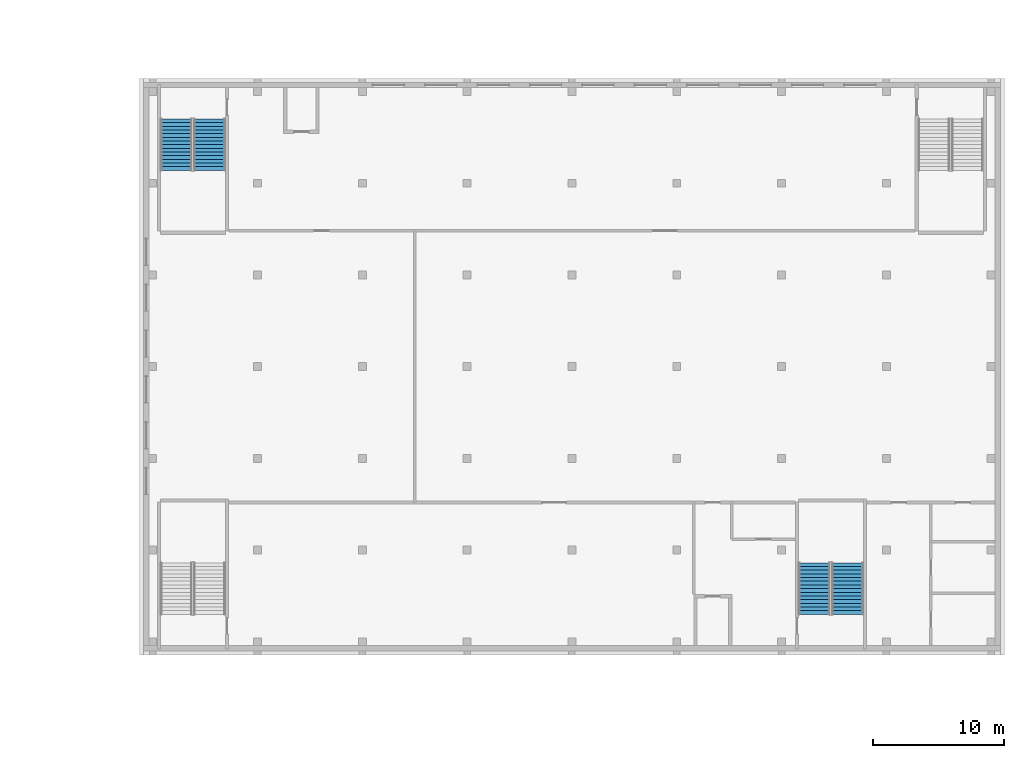
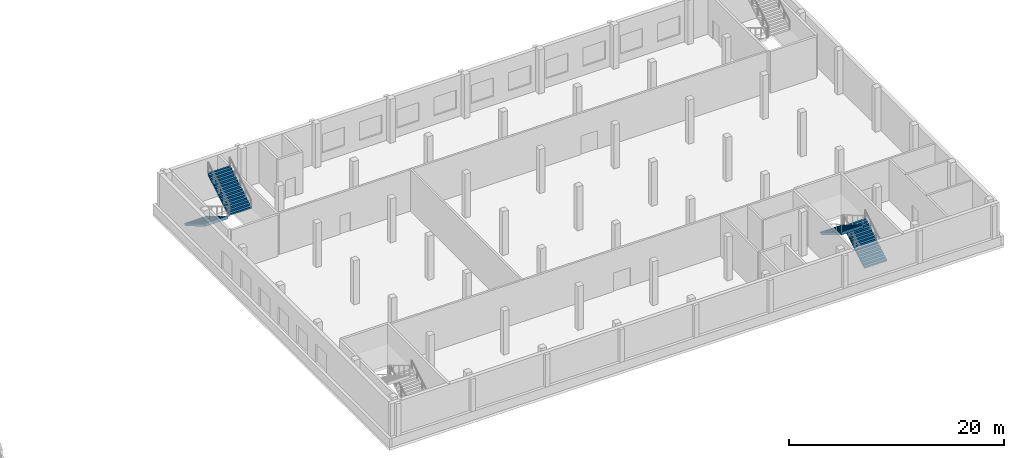
# One storey, part 19 of 32: 4 stair flights, 2 elements without a shape of their own.
"""IFC4 building model written with IfcOpenShell, lengths in metres."""

from ifc_helpers import new_model, si_unit, direction, frame, origin, place, context, subcontext, project, spatial, polyline, outline, extrude, material, type_object, element, aggregate, save


model = new_model("IFC4")

# Units and contexts
model_context = context("Model", 3, precision=1e-05, world=origin(), true_north=direction((0.0, 1.0)))
body_context = subcontext(model_context, "Body", "Model", "MODEL_VIEW")
ifc_project = project(units=[si_unit("LENGTHUNIT", "METRE"), si_unit("AREAUNIT", "SQUARE_METRE"), si_unit("VOLUMEUNIT", "CUBIC_METRE"), si_unit("PLANEANGLEUNIT", "RADIAN"), si_unit("MASSUNIT", "GRAM", prefix="KILO")], contexts=[model_context])

# Site, building, storey
site_placement = place(None, origin())
site = spatial("IfcSite", under=ifc_project, at=site_placement, CompositionType="ELEMENT")
building_placement = place(site_placement, origin())
building = spatial("IfcBuilding", under=site, at=building_placement, Name="Tamorin Gate", CompositionType="ELEMENT")
storey_placement = place(building_placement, frame((0.0, 0.0, 18.5)))
storey = spatial("IfcBuildingStorey", under=building, at=storey_placement, Name="L03", CompositionType="ELEMENT", Elevation=18.5)

# Stair, stair flights
ifc_material = material(Name="Concrete C40/50", Category="concrete")
stair_type = type_object("IfcStairType", Name="Museum exit stair 2400 C40/50", PredefinedType="HALF_TURN_STAIR", material=ifc_material)
stair_1_placement = place(storey_placement, origin())
stair_1 = element("IfcStair", 1, at=stair_1_placement, inside=storey, type_object=stair_type, Name="L03 PS6", PredefinedType="HALF_TURN_STAIR")
stair_flight_type = type_object("IfcStairFlightType", Name="Museum exit stair flight 2400 C40/50", PredefinedType="STRAIGHT", material=ifc_material)
stair_flight_1_placement = place(storey_placement, frame((147.5, 95.60009765625, 0.0), z_axis=(0.0, 0.0, 1.0), x_axis=(0.0, -1.0, 0.0)))
stair_flight_1 = element("IfcStairFlight", 2, at=stair_flight_1_placement, type_object=stair_flight_type, Name="PS6 flight 1", NumberOfRisers=15, NumberOfTreads=14, PredefinedType="STRAIGHT", RiserHeight=0.166666667, TreadLength=0.28, context=body_context, shape_type="SweptSolid", body=[
    extrude(outline(polyline([(-0.00048828125, 0.0), (-0.00048828125, 0.001708984375), (-0.00048828125, 0.00341796875), (-0.00048828125, 0.0048828125), (-0.00048828125, 0.006591796875), (-0.00048828125, 0.00830078125), (-0.00048828125, 0.010009765625), (-0.00048828125, 0.011474609375), (-0.00048828125, 0.01318359375), (-0.00048828125, 0.014892578125), (-0.00048828125, 0.0166015625), (-0.00048828125, 0.01806640625), (-0.00048828125, 0.019775390625), (-0.00048828125, 0.021484375), (-0.00048828125, 0.023193359375), (-0.00048828125, 0.024658203125), (-0.00048828125, 0.0263671875), (-0.00048828125, 0.028076171875), (-0.00048828125, 0.02978515625), (-0.00048828125, 0.03125), (-0.00048828125, 0.032958984375), (-0.00048828125, 0.03466796875), (-0.00048828125, 0.036376953125), (-0.00048828125, 0.037841796875), (-0.00048828125, 0.03955078125), (-0.00048828125, 0.041259765625), (-0.00048828125, 0.04296875), (-0.00048828125, 0.04443359375), (-0.00048828125, 0.046142578125), (-0.00048828125, 0.0478515625), (-0.00048828125, 0.049560546875), (-0.00048828125, 0.05126953125), (-0.00048828125, 0.052734375), (-0.00048828125, 0.054443359375), (-0.00048828125, 0.05615234375), (-0.00048828125, 0.057861328125), (-0.00048828125, 0.059326171875), (-0.00048828125, 0.06103515625), (-0.00048828125, 0.062744140625), (-0.00048828125, 0.064453125), (-0.00048828125, 0.06591796875), (-0.00048828125, 0.067626953125), (-0.00048828125, 0.0693359375), (-0.00048828125, 0.071044921875), (-0.00048828125, 0.072509765625), (-0.00048828125, 0.07421875), (-0.00048828125, 0.075927734375), (-0.00048828125, 0.07763671875), (-0.00048828125, 0.0791015625), (-0.00048828125, 0.080810546875), (-0.00048828125, 0.08251953125), (-0.00048828125, 0.084228515625), (-0.00048828125, 0.085693359375), (-0.00048828125, 0.08740234375), (-0.00048828125, 0.089111328125), (-0.00048828125, 0.0908203125), (-0.00048828125, 0.092529296875), (-0.00048828125, 0.093994140625), (-0.00048828125, 0.095703125), (-0.00048828125, 0.097412109375), (-0.00048828125, 0.09912109375), (-0.00048828125, 0.1005859375), (-0.00048828125, 0.102294921875), (-0.00048828125, 0.10400390625), (-0.00048828125, 0.105712890625), (-0.00048828125, 0.107177734375), (-0.00048828125, 0.10888671875), (-0.00048828125, 0.110595703125), (-0.00048828125, 0.1123046875), (-0.00048828125, 0.11376953125), (-0.00048828125, 0.115478515625), (-0.00048828125, 0.1171875), (-0.00048828125, 0.118896484375), (-0.00048828125, 0.120361328125), (-0.00048828125, 0.1220703125), (-0.00048828125, 0.123779296875), (-0.00048828125, 0.12548828125), (-0.00048828125, 0.126953125), (-0.00048828125, 0.128662109375), (-0.00048828125, 0.13037109375), (-0.00048828125, 0.132080078125), (-0.00048828125, 0.133544921875), (-0.00048828125, 0.13525390625), (-0.00048828125, 0.136962890625), (-0.00048828125, 0.138671875), (-0.00048828125, 0.140380859375), (-0.00048828125, 0.141845703125), (-0.00048828125, 0.1435546875), (-0.00048828125, 0.145263671875), (-0.00048828125, 0.14697265625), (-0.00048828125, 0.1484375), (-0.00048828125, 0.150146484375), (-0.00048828125, 0.15185546875), (-0.00048828125, 0.153564453125), (-0.00048828125, 0.155029296875), (-0.00048828125, 0.15673828125), (-0.00048828125, 0.158447265625), (-0.00048828125, 0.16015625), (-0.00048828125, 0.16162109375), (-0.00048828125, 0.163330078125), (-0.00048828125, 0.1650390625), (-0.00048828125, 0.166748046875), (0.280029296875, 0.166748046875), (0.280029296875, 0.333251953125), (0.56005859375, 0.333251953125), (0.56005859375, 0.5), (0.840087890625, 0.5), (0.840087890625, 0.666748046875), (1.1201171875, 0.666748046875), (1.1201171875, 0.833251953125), (1.39990234375, 0.833251953125), (1.39990234375, 1.0), (1.679931640625, 1.0), (1.679931640625, 1.166748046875), (1.9599609375, 1.166748046875), (1.9599609375, 1.333251953125), (2.239990234375, 1.333251953125), (2.239990234375, 1.5), (2.52001953125, 1.5), (2.52001953125, 1.666748046875), (2.800048828125, 1.666748046875), (2.800048828125, 1.833251953125), (3.080078125, 1.833251953125), (3.080078125, 2.0), (3.360107421875, 2.0), (3.360107421875, 2.166748046875), (3.639892578125, 2.166748046875), (3.639892578125, 2.333251953125), (3.919921875, 2.333251953125), (3.919921875, 2.5), (3.92041015625, 2.5), (3.92041015625, 2.49658203125), (3.92041015625, 2.4931640625), (3.92041015625, 2.48974609375), (3.92041015625, 2.486572265625), (3.92041015625, 2.483154296875), (3.92041015625, 2.479736328125), (3.92041015625, 2.476318359375), (3.92041015625, 2.472900390625), (3.92041015625, 2.469482421875), (3.92041015625, 2.46630859375), (3.92041015625, 2.462890625), (3.92041015625, 2.45947265625), (3.92041015625, 2.4560546875), (3.92041015625, 2.45263671875), (3.92041015625, 2.44921875), (3.92041015625, 2.446044921875), (3.92041015625, 2.442626953125), (3.92041015625, 2.439208984375), (3.92041015625, 2.435791015625), (3.92041015625, 2.432373046875), (3.92041015625, 2.428955078125), (3.92041015625, 2.42578125), (3.92041015625, 2.42236328125), (3.92041015625, 2.4189453125), (3.92041015625, 2.41552734375), (3.92041015625, 2.412109375), (3.92041015625, 2.40869140625), (3.92041015625, 2.405517578125), (3.92041015625, 2.402099609375), (3.92041015625, 2.398681640625), (3.92041015625, 2.395263671875), (3.92041015625, 2.391845703125), (3.92041015625, 2.388427734375), (3.92041015625, 2.38525390625), (3.92041015625, 2.3818359375), (3.92041015625, 2.37841796875), (3.92041015625, 2.375), (3.92041015625, 2.37158203125), (3.92041015625, 2.3681640625), (3.92041015625, 2.364990234375), (3.92041015625, 2.361572265625), (3.92041015625, 2.358154296875), (3.92041015625, 2.354736328125), (3.92041015625, 2.351318359375), (3.92041015625, 2.347900390625), (3.92041015625, 2.3447265625), (3.92041015625, 2.34130859375), (3.92041015625, 2.337890625), (3.92041015625, 2.33447265625), (3.92041015625, 2.3310546875), (3.92041015625, 2.32763671875), (3.92041015625, 2.324462890625), (3.92041015625, 2.321044921875), (3.92041015625, 2.317626953125), (3.92041015625, 2.314208984375), (3.92041015625, 2.310791015625), (3.92041015625, 2.307373046875), (3.92041015625, 2.30419921875), (3.92041015625, 2.30078125), (3.92041015625, 2.29736328125), (3.92041015625, 2.2939453125), (3.92041015625, 2.29052734375), (3.92041015625, 2.287109375), (3.92041015625, 2.283935546875), (3.92041015625, 2.280517578125), (3.92041015625, 2.277099609375), (3.92041015625, 2.273681640625), (3.92041015625, 2.270263671875), (3.92041015625, 2.266845703125), (3.92041015625, 2.263671875), (3.92041015625, 2.26025390625), (3.92041015625, 2.2568359375), (3.92041015625, 2.25341796875), (3.92041015625, 2.25), (3.92041015625, 2.24658203125), (3.92041015625, 2.243408203125), (3.92041015625, 2.239990234375), (3.92041015625, 2.236572265625), (3.92041015625, 2.233154296875), (3.92041015625, 2.229736328125), (3.92041015625, 2.226318359375), (3.92041015625, 2.22314453125), (3.92041015625, 2.2197265625), (3.92041015625, 2.21630859375), (3.92041015625, 2.212890625), (3.92041015625, 2.20947265625), (3.92041015625, 2.2060546875), (3.92041015625, 2.202880859375), (3.92041015625, 2.199462890625), (3.92041015625, 2.196044921875), (3.92041015625, 2.192626953125), (3.92041015625, 2.189208984375), (3.92041015625, 2.185791015625), (3.92041015625, 2.1826171875), (3.92041015625, 2.17919921875), (3.92041015625, 2.17578125), (3.92041015625, 2.17236328125), (3.92041015625, 2.1689453125), (3.92041015625, 2.16552734375), (3.92041015625, 2.162353515625), (3.92041015625, 2.158935546875), (3.919921875, 2.158935546875), (0.29296875, 0.0), (-0.00048828125, 0.0)])), frame((0.0, 1.199951171875, 0.0), z_axis=(0.0, -1.0, 0.0), x_axis=(1.0, 0.0, 0.0)), (0.0, 0.0, 1.0), 2.39990234375),
])
stair_flight_2_placement = place(storey_placement, frame((150.050048828125, 91.679931640625, 2.5), z_axis=(0.0, 0.0, 1.0), x_axis=(0.0, 1.0, 0.0)))
stair_flight_2 = element("IfcStairFlight", 3, at=stair_flight_2_placement, type_object=stair_flight_type, Name="PS6 flight 2", NumberOfRisers=15, NumberOfTreads=14, PredefinedType="STRAIGHT", RiserHeight=0.166666667, TreadLength=0.28, context=body_context, shape_type="SweptSolid", body=[
    extrude(outline(polyline([(-0.00048828125, 0.0), (-0.00048828125, 0.001708984375), (-0.00048828125, 0.00341796875), (-0.00048828125, 0.0048828125), (-0.00048828125, 0.006591796875), (-0.00048828125, 0.00830078125), (-0.00048828125, 0.010009765625), (-0.00048828125, 0.011474609375), (-0.00048828125, 0.01318359375), (-0.00048828125, 0.014892578125), (-0.00048828125, 0.0166015625), (-0.00048828125, 0.01806640625), (-0.00048828125, 0.019775390625), (-0.00048828125, 0.021484375), (-0.00048828125, 0.023193359375), (-0.00048828125, 0.024658203125), (-0.00048828125, 0.0263671875), (-0.00048828125, 0.028076171875), (-0.00048828125, 0.02978515625), (-0.00048828125, 0.03125), (-0.00048828125, 0.032958984375), (-0.00048828125, 0.03466796875), (-0.00048828125, 0.036376953125), (-0.00048828125, 0.037841796875), (-0.00048828125, 0.03955078125), (-0.00048828125, 0.041259765625), (-0.00048828125, 0.04296875), (-0.00048828125, 0.04443359375), (-0.00048828125, 0.046142578125), (-0.00048828125, 0.0478515625), (-0.00048828125, 0.049560546875), (-0.00048828125, 0.05126953125), (-0.00048828125, 0.052734375), (-0.00048828125, 0.054443359375), (-0.00048828125, 0.05615234375), (-0.00048828125, 0.057861328125), (-0.00048828125, 0.059326171875), (-0.00048828125, 0.06103515625), (-0.00048828125, 0.062744140625), (-0.00048828125, 0.064453125), (-0.00048828125, 0.06591796875), (-0.00048828125, 0.067626953125), (-0.00048828125, 0.0693359375), (-0.00048828125, 0.071044921875), (-0.00048828125, 0.072509765625), (-0.00048828125, 0.07421875), (-0.00048828125, 0.075927734375), (-0.00048828125, 0.07763671875), (-0.00048828125, 0.0791015625), (-0.00048828125, 0.080810546875), (-0.00048828125, 0.08251953125), (-0.00048828125, 0.084228515625), (-0.00048828125, 0.085693359375), (-0.00048828125, 0.08740234375), (-0.00048828125, 0.089111328125), (-0.00048828125, 0.0908203125), (-0.00048828125, 0.092529296875), (-0.00048828125, 0.093994140625), (-0.00048828125, 0.095703125), (-0.00048828125, 0.097412109375), (-0.00048828125, 0.09912109375), (-0.00048828125, 0.1005859375), (-0.00048828125, 0.102294921875), (-0.00048828125, 0.10400390625), (-0.00048828125, 0.105712890625), (-0.00048828125, 0.107177734375), (-0.00048828125, 0.10888671875), (-0.00048828125, 0.110595703125), (-0.00048828125, 0.1123046875), (-0.00048828125, 0.11376953125), (-0.00048828125, 0.115478515625), (-0.00048828125, 0.1171875), (-0.00048828125, 0.118896484375), (-0.00048828125, 0.120361328125), (-0.00048828125, 0.1220703125), (-0.00048828125, 0.123779296875), (-0.00048828125, 0.12548828125), (-0.00048828125, 0.126953125), (-0.00048828125, 0.128662109375), (-0.00048828125, 0.13037109375), (-0.00048828125, 0.132080078125), (-0.00048828125, 0.133544921875), (-0.00048828125, 0.13525390625), (-0.00048828125, 0.136962890625), (-0.00048828125, 0.138671875), (-0.00048828125, 0.140380859375), (-0.00048828125, 0.141845703125), (-0.00048828125, 0.1435546875), (-0.00048828125, 0.145263671875), (-0.00048828125, 0.14697265625), (-0.00048828125, 0.1484375), (-0.00048828125, 0.150146484375), (-0.00048828125, 0.15185546875), (-0.00048828125, 0.153564453125), (-0.00048828125, 0.155029296875), (-0.00048828125, 0.15673828125), (-0.00048828125, 0.158447265625), (-0.00048828125, 0.16015625), (-0.00048828125, 0.16162109375), (-0.00048828125, 0.163330078125), (-0.00048828125, 0.1650390625), (-0.00048828125, 0.166748046875), (0.280029296875, 0.166748046875), (0.280029296875, 0.333251953125), (0.56005859375, 0.333251953125), (0.56005859375, 0.5), (0.840087890625, 0.5), (0.840087890625, 0.666748046875), (1.1201171875, 0.666748046875), (1.1201171875, 0.833251953125), (1.39990234375, 0.833251953125), (1.39990234375, 1.0), (1.679931640625, 1.0), (1.679931640625, 1.166748046875), (1.9599609375, 1.166748046875), (1.9599609375, 1.333251953125), (2.239990234375, 1.333251953125), (2.239990234375, 1.5), (2.52001953125, 1.5), (2.52001953125, 1.666748046875), (2.800048828125, 1.666748046875), (2.800048828125, 1.833251953125), (3.080078125, 1.833251953125), (3.080078125, 2.0), (3.360107421875, 2.0), (3.360107421875, 2.166748046875), (3.639892578125, 2.166748046875), (3.639892578125, 2.333251953125), (3.919921875, 2.333251953125), (3.919921875, 2.5), (3.92041015625, 2.5), (3.92041015625, 2.49658203125), (3.92041015625, 2.4931640625), (3.92041015625, 2.48974609375), (3.92041015625, 2.486572265625), (3.92041015625, 2.483154296875), (3.92041015625, 2.479736328125), (3.92041015625, 2.476318359375), (3.92041015625, 2.472900390625), (3.92041015625, 2.469482421875), (3.92041015625, 2.46630859375), (3.92041015625, 2.462890625), (3.92041015625, 2.45947265625), (3.92041015625, 2.4560546875), (3.92041015625, 2.45263671875), (3.92041015625, 2.44921875), (3.92041015625, 2.446044921875), (3.92041015625, 2.442626953125), (3.92041015625, 2.439208984375), (3.92041015625, 2.435791015625), (3.92041015625, 2.432373046875), (3.92041015625, 2.428955078125), (3.92041015625, 2.42578125), (3.92041015625, 2.42236328125), (3.92041015625, 2.4189453125), (3.92041015625, 2.41552734375), (3.92041015625, 2.412109375), (3.92041015625, 2.40869140625), (3.92041015625, 2.405517578125), (3.92041015625, 2.402099609375), (3.92041015625, 2.398681640625), (3.92041015625, 2.395263671875), (3.92041015625, 2.391845703125), (3.92041015625, 2.388427734375), (3.92041015625, 2.38525390625), (3.92041015625, 2.3818359375), (3.92041015625, 2.37841796875), (3.92041015625, 2.375), (3.92041015625, 2.37158203125), (3.92041015625, 2.3681640625), (3.92041015625, 2.364990234375), (3.92041015625, 2.361572265625), (3.92041015625, 2.358154296875), (3.92041015625, 2.354736328125), (3.92041015625, 2.351318359375), (3.92041015625, 2.347900390625), (3.92041015625, 2.3447265625), (3.92041015625, 2.34130859375), (3.92041015625, 2.337890625), (3.92041015625, 2.33447265625), (3.92041015625, 2.3310546875), (3.92041015625, 2.32763671875), (3.92041015625, 2.324462890625), (3.92041015625, 2.321044921875), (3.92041015625, 2.317626953125), (3.92041015625, 2.314208984375), (3.92041015625, 2.310791015625), (3.92041015625, 2.307373046875), (3.92041015625, 2.30419921875), (3.92041015625, 2.30078125), (3.92041015625, 2.29736328125), (3.92041015625, 2.2939453125), (3.92041015625, 2.29052734375), (3.92041015625, 2.287109375), (3.92041015625, 2.283935546875), (3.92041015625, 2.280517578125), (3.92041015625, 2.277099609375), (3.92041015625, 2.273681640625), (3.92041015625, 2.270263671875), (3.92041015625, 2.266845703125), (3.92041015625, 2.263671875), (3.92041015625, 2.26025390625), (3.92041015625, 2.2568359375), (3.92041015625, 2.25341796875), (3.92041015625, 2.25), (3.92041015625, 2.24658203125), (3.92041015625, 2.243408203125), (3.92041015625, 2.239990234375), (3.92041015625, 2.236572265625), (3.92041015625, 2.233154296875), (3.92041015625, 2.229736328125), (3.92041015625, 2.226318359375), (3.92041015625, 2.22314453125), (3.92041015625, 2.2197265625), (3.92041015625, 2.21630859375), (3.92041015625, 2.212890625), (3.92041015625, 2.20947265625), (3.92041015625, 2.2060546875), (3.92041015625, 2.202880859375), (3.92041015625, 2.199462890625), (3.92041015625, 2.196044921875), (3.92041015625, 2.192626953125), (3.92041015625, 2.189208984375), (3.92041015625, 2.185791015625), (3.92041015625, 2.1826171875), (3.92041015625, 2.17919921875), (3.92041015625, 2.17578125), (3.92041015625, 2.17236328125), (3.92041015625, 2.1689453125), (3.92041015625, 2.16552734375), (3.92041015625, 2.162353515625), (3.92041015625, 2.158935546875), (3.919921875, 2.158935546875), (0.29296875, 0.0), (-0.00048828125, 0.0)])), frame((0.0, 1.199951171875, 0.0), z_axis=(0.0, -1.0, 0.0), x_axis=(1.0, 0.0, 0.0)), (0.0, 0.0, 1.0), 2.39990234375),
])
aggregate(stair_1, [stair_flight_1, stair_flight_2])

stair_2_placement = place(storey_placement, origin())
stair_2 = element("IfcStair", 4, at=stair_2_placement, inside=storey, type_object=stair_type, Name="L03 PS7", PredefinedType="HALF_TURN_STAIR")
stair_flight_3_placement = place(storey_placement, frame((198.75, 57.800048828125, 0.0), z_axis=(0.0, 0.0, 1.0), x_axis=(0.0, 1.0, 0.0)))
stair_flight_3 = element("IfcStairFlight", 5, at=stair_flight_3_placement, type_object=stair_flight_type, Name="PS7 flight 1", NumberOfRisers=15, NumberOfTreads=14, PredefinedType="STRAIGHT", RiserHeight=0.166666667, TreadLength=0.28, context=body_context, shape_type="SweptSolid", body=[
    extrude(outline(polyline([(-0.00048828125, 0.0), (-0.00048828125, 0.001708984375), (-0.00048828125, 0.00341796875), (-0.00048828125, 0.0048828125), (-0.00048828125, 0.006591796875), (-0.00048828125, 0.00830078125), (-0.00048828125, 0.010009765625), (-0.00048828125, 0.011474609375), (-0.00048828125, 0.01318359375), (-0.00048828125, 0.014892578125), (-0.00048828125, 0.0166015625), (-0.00048828125, 0.01806640625), (-0.00048828125, 0.019775390625), (-0.00048828125, 0.021484375), (-0.00048828125, 0.023193359375), (-0.00048828125, 0.024658203125), (-0.00048828125, 0.0263671875), (-0.00048828125, 0.028076171875), (-0.00048828125, 0.02978515625), (-0.00048828125, 0.03125), (-0.00048828125, 0.032958984375), (-0.00048828125, 0.03466796875), (-0.00048828125, 0.036376953125), (-0.00048828125, 0.037841796875), (-0.00048828125, 0.03955078125), (-0.00048828125, 0.041259765625), (-0.00048828125, 0.04296875), (-0.00048828125, 0.04443359375), (-0.00048828125, 0.046142578125), (-0.00048828125, 0.0478515625), (-0.00048828125, 0.049560546875), (-0.00048828125, 0.05126953125), (-0.00048828125, 0.052734375), (-0.00048828125, 0.054443359375), (-0.00048828125, 0.05615234375), (-0.00048828125, 0.057861328125), (-0.00048828125, 0.059326171875), (-0.00048828125, 0.06103515625), (-0.00048828125, 0.062744140625), (-0.00048828125, 0.064453125), (-0.00048828125, 0.06591796875), (-0.00048828125, 0.067626953125), (-0.00048828125, 0.0693359375), (-0.00048828125, 0.071044921875), (-0.00048828125, 0.072509765625), (-0.00048828125, 0.07421875), (-0.00048828125, 0.075927734375), (-0.00048828125, 0.07763671875), (-0.00048828125, 0.0791015625), (-0.00048828125, 0.080810546875), (-0.00048828125, 0.08251953125), (-0.00048828125, 0.084228515625), (-0.00048828125, 0.085693359375), (-0.00048828125, 0.08740234375), (-0.00048828125, 0.089111328125), (-0.00048828125, 0.0908203125), (-0.00048828125, 0.092529296875), (-0.00048828125, 0.093994140625), (-0.00048828125, 0.095703125), (-0.00048828125, 0.097412109375), (-0.00048828125, 0.09912109375), (-0.00048828125, 0.1005859375), (-0.00048828125, 0.102294921875), (-0.00048828125, 0.10400390625), (-0.00048828125, 0.105712890625), (-0.00048828125, 0.107177734375), (-0.00048828125, 0.10888671875), (-0.00048828125, 0.110595703125), (-0.00048828125, 0.1123046875), (-0.00048828125, 0.11376953125), (-0.00048828125, 0.115478515625), (-0.00048828125, 0.1171875), (-0.00048828125, 0.118896484375), (-0.00048828125, 0.120361328125), (-0.00048828125, 0.1220703125), (-0.00048828125, 0.123779296875), (-0.00048828125, 0.12548828125), (-0.00048828125, 0.126953125), (-0.00048828125, 0.128662109375), (-0.00048828125, 0.13037109375), (-0.00048828125, 0.132080078125), (-0.00048828125, 0.133544921875), (-0.00048828125, 0.13525390625), (-0.00048828125, 0.136962890625), (-0.00048828125, 0.138671875), (-0.00048828125, 0.140380859375), (-0.00048828125, 0.141845703125), (-0.00048828125, 0.1435546875), (-0.00048828125, 0.145263671875), (-0.00048828125, 0.14697265625), (-0.00048828125, 0.1484375), (-0.00048828125, 0.150146484375), (-0.00048828125, 0.15185546875), (-0.00048828125, 0.153564453125), (-0.00048828125, 0.155029296875), (-0.00048828125, 0.15673828125), (-0.00048828125, 0.158447265625), (-0.00048828125, 0.16015625), (-0.00048828125, 0.16162109375), (-0.00048828125, 0.163330078125), (-0.00048828125, 0.1650390625), (-0.00048828125, 0.166748046875), (0.280029296875, 0.166748046875), (0.280029296875, 0.333251953125), (0.56005859375, 0.333251953125), (0.56005859375, 0.5), (0.840087890625, 0.5), (0.840087890625, 0.666748046875), (1.1201171875, 0.666748046875), (1.1201171875, 0.833251953125), (1.39990234375, 0.833251953125), (1.39990234375, 1.0), (1.679931640625, 1.0), (1.679931640625, 1.166748046875), (1.9599609375, 1.166748046875), (1.9599609375, 1.333251953125), (2.239990234375, 1.333251953125), (2.239990234375, 1.5), (2.52001953125, 1.5), (2.52001953125, 1.666748046875), (2.800048828125, 1.666748046875), (2.800048828125, 1.833251953125), (3.080078125, 1.833251953125), (3.080078125, 2.0), (3.360107421875, 2.0), (3.360107421875, 2.166748046875), (3.639892578125, 2.166748046875), (3.639892578125, 2.333251953125), (3.919921875, 2.333251953125), (3.919921875, 2.5), (3.92041015625, 2.5), (3.92041015625, 2.49658203125), (3.92041015625, 2.4931640625), (3.92041015625, 2.48974609375), (3.92041015625, 2.486572265625), (3.92041015625, 2.483154296875), (3.92041015625, 2.479736328125), (3.92041015625, 2.476318359375), (3.92041015625, 2.472900390625), (3.92041015625, 2.469482421875), (3.92041015625, 2.46630859375), (3.92041015625, 2.462890625), (3.92041015625, 2.45947265625), (3.92041015625, 2.4560546875), (3.92041015625, 2.45263671875), (3.92041015625, 2.44921875), (3.92041015625, 2.446044921875), (3.92041015625, 2.442626953125), (3.92041015625, 2.439208984375), (3.92041015625, 2.435791015625), (3.92041015625, 2.432373046875), (3.92041015625, 2.428955078125), (3.92041015625, 2.42578125), (3.92041015625, 2.42236328125), (3.92041015625, 2.4189453125), (3.92041015625, 2.41552734375), (3.92041015625, 2.412109375), (3.92041015625, 2.40869140625), (3.92041015625, 2.405517578125), (3.92041015625, 2.402099609375), (3.92041015625, 2.398681640625), (3.92041015625, 2.395263671875), (3.92041015625, 2.391845703125), (3.92041015625, 2.388427734375), (3.92041015625, 2.38525390625), (3.92041015625, 2.3818359375), (3.92041015625, 2.37841796875), (3.92041015625, 2.375), (3.92041015625, 2.37158203125), (3.92041015625, 2.3681640625), (3.92041015625, 2.364990234375), (3.92041015625, 2.361572265625), (3.92041015625, 2.358154296875), (3.92041015625, 2.354736328125), (3.92041015625, 2.351318359375), (3.92041015625, 2.347900390625), (3.92041015625, 2.3447265625), (3.92041015625, 2.34130859375), (3.92041015625, 2.337890625), (3.92041015625, 2.33447265625), (3.92041015625, 2.3310546875), (3.92041015625, 2.32763671875), (3.92041015625, 2.324462890625), (3.92041015625, 2.321044921875), (3.92041015625, 2.317626953125), (3.92041015625, 2.314208984375), (3.92041015625, 2.310791015625), (3.92041015625, 2.307373046875), (3.92041015625, 2.30419921875), (3.92041015625, 2.30078125), (3.92041015625, 2.29736328125), (3.92041015625, 2.2939453125), (3.92041015625, 2.29052734375), (3.92041015625, 2.287109375), (3.92041015625, 2.283935546875), (3.92041015625, 2.280517578125), (3.92041015625, 2.277099609375), (3.92041015625, 2.273681640625), (3.92041015625, 2.270263671875), (3.92041015625, 2.266845703125), (3.92041015625, 2.263671875), (3.92041015625, 2.26025390625), (3.92041015625, 2.2568359375), (3.92041015625, 2.25341796875), (3.92041015625, 2.25), (3.92041015625, 2.24658203125), (3.92041015625, 2.243408203125), (3.92041015625, 2.239990234375), (3.92041015625, 2.236572265625), (3.92041015625, 2.233154296875), (3.92041015625, 2.229736328125), (3.92041015625, 2.226318359375), (3.92041015625, 2.22314453125), (3.92041015625, 2.2197265625), (3.92041015625, 2.21630859375), (3.92041015625, 2.212890625), (3.92041015625, 2.20947265625), (3.92041015625, 2.2060546875), (3.92041015625, 2.202880859375), (3.92041015625, 2.199462890625), (3.92041015625, 2.196044921875), (3.92041015625, 2.192626953125), (3.92041015625, 2.189208984375), (3.92041015625, 2.185791015625), (3.92041015625, 2.1826171875), (3.92041015625, 2.17919921875), (3.92041015625, 2.17578125), (3.92041015625, 2.17236328125), (3.92041015625, 2.1689453125), (3.92041015625, 2.16552734375), (3.92041015625, 2.162353515625), (3.92041015625, 2.158935546875), (3.919921875, 2.158935546875), (0.29296875, 0.0), (-0.00048828125, 0.0)])), frame((0.0, 1.199951171875, 0.0), z_axis=(0.0, -1.0, 0.0), x_axis=(1.0, 0.0, 0.0)), (0.0, 0.0, 1.0), 2.39990234375),
])
stair_flight_4_placement = place(storey_placement, frame((196.199951171875, 61.719970703125, 2.5), z_axis=(0.0, 0.0, 1.0), x_axis=(0.0, -1.0, 0.0)))
stair_flight_4 = element("IfcStairFlight", 6, at=stair_flight_4_placement, type_object=stair_flight_type, Name="PS7 flight 2", NumberOfRisers=15, NumberOfTreads=14, PredefinedType="STRAIGHT", RiserHeight=0.166666667, TreadLength=0.28, context=body_context, shape_type="SweptSolid", body=[
    extrude(outline(polyline([(-0.00048828125, 0.0), (-0.00048828125, 0.001708984375), (-0.00048828125, 0.00341796875), (-0.00048828125, 0.0048828125), (-0.00048828125, 0.006591796875), (-0.00048828125, 0.00830078125), (-0.00048828125, 0.010009765625), (-0.00048828125, 0.011474609375), (-0.00048828125, 0.01318359375), (-0.00048828125, 0.014892578125), (-0.00048828125, 0.0166015625), (-0.00048828125, 0.01806640625), (-0.00048828125, 0.019775390625), (-0.00048828125, 0.021484375), (-0.00048828125, 0.023193359375), (-0.00048828125, 0.024658203125), (-0.00048828125, 0.0263671875), (-0.00048828125, 0.028076171875), (-0.00048828125, 0.02978515625), (-0.00048828125, 0.03125), (-0.00048828125, 0.032958984375), (-0.00048828125, 0.03466796875), (-0.00048828125, 0.036376953125), (-0.00048828125, 0.037841796875), (-0.00048828125, 0.03955078125), (-0.00048828125, 0.041259765625), (-0.00048828125, 0.04296875), (-0.00048828125, 0.04443359375), (-0.00048828125, 0.046142578125), (-0.00048828125, 0.0478515625), (-0.00048828125, 0.049560546875), (-0.00048828125, 0.05126953125), (-0.00048828125, 0.052734375), (-0.00048828125, 0.054443359375), (-0.00048828125, 0.05615234375), (-0.00048828125, 0.057861328125), (-0.00048828125, 0.059326171875), (-0.00048828125, 0.06103515625), (-0.00048828125, 0.062744140625), (-0.00048828125, 0.064453125), (-0.00048828125, 0.06591796875), (-0.00048828125, 0.067626953125), (-0.00048828125, 0.0693359375), (-0.00048828125, 0.071044921875), (-0.00048828125, 0.072509765625), (-0.00048828125, 0.07421875), (-0.00048828125, 0.075927734375), (-0.00048828125, 0.07763671875), (-0.00048828125, 0.0791015625), (-0.00048828125, 0.080810546875), (-0.00048828125, 0.08251953125), (-0.00048828125, 0.084228515625), (-0.00048828125, 0.085693359375), (-0.00048828125, 0.08740234375), (-0.00048828125, 0.089111328125), (-0.00048828125, 0.0908203125), (-0.00048828125, 0.092529296875), (-0.00048828125, 0.093994140625), (-0.00048828125, 0.095703125), (-0.00048828125, 0.097412109375), (-0.00048828125, 0.09912109375), (-0.00048828125, 0.1005859375), (-0.00048828125, 0.102294921875), (-0.00048828125, 0.10400390625), (-0.00048828125, 0.105712890625), (-0.00048828125, 0.107177734375), (-0.00048828125, 0.10888671875), (-0.00048828125, 0.110595703125), (-0.00048828125, 0.1123046875), (-0.00048828125, 0.11376953125), (-0.00048828125, 0.115478515625), (-0.00048828125, 0.1171875), (-0.00048828125, 0.118896484375), (-0.00048828125, 0.120361328125), (-0.00048828125, 0.1220703125), (-0.00048828125, 0.123779296875), (-0.00048828125, 0.12548828125), (-0.00048828125, 0.126953125), (-0.00048828125, 0.128662109375), (-0.00048828125, 0.13037109375), (-0.00048828125, 0.132080078125), (-0.00048828125, 0.133544921875), (-0.00048828125, 0.13525390625), (-0.00048828125, 0.136962890625), (-0.00048828125, 0.138671875), (-0.00048828125, 0.140380859375), (-0.00048828125, 0.141845703125), (-0.00048828125, 0.1435546875), (-0.00048828125, 0.145263671875), (-0.00048828125, 0.14697265625), (-0.00048828125, 0.1484375), (-0.00048828125, 0.150146484375), (-0.00048828125, 0.15185546875), (-0.00048828125, 0.153564453125), (-0.00048828125, 0.155029296875), (-0.00048828125, 0.15673828125), (-0.00048828125, 0.158447265625), (-0.00048828125, 0.16015625), (-0.00048828125, 0.16162109375), (-0.00048828125, 0.163330078125), (-0.00048828125, 0.1650390625), (-0.00048828125, 0.166748046875), (0.280029296875, 0.166748046875), (0.280029296875, 0.333251953125), (0.56005859375, 0.333251953125), (0.56005859375, 0.5), (0.840087890625, 0.5), (0.840087890625, 0.666748046875), (1.1201171875, 0.666748046875), (1.1201171875, 0.833251953125), (1.39990234375, 0.833251953125), (1.39990234375, 1.0), (1.679931640625, 1.0), (1.679931640625, 1.166748046875), (1.9599609375, 1.166748046875), (1.9599609375, 1.333251953125), (2.239990234375, 1.333251953125), (2.239990234375, 1.5), (2.52001953125, 1.5), (2.52001953125, 1.666748046875), (2.800048828125, 1.666748046875), (2.800048828125, 1.833251953125), (3.080078125, 1.833251953125), (3.080078125, 2.0), (3.360107421875, 2.0), (3.360107421875, 2.166748046875), (3.639892578125, 2.166748046875), (3.639892578125, 2.333251953125), (3.919921875, 2.333251953125), (3.919921875, 2.5), (3.92041015625, 2.5), (3.92041015625, 2.49658203125), (3.92041015625, 2.4931640625), (3.92041015625, 2.48974609375), (3.92041015625, 2.486572265625), (3.92041015625, 2.483154296875), (3.92041015625, 2.479736328125), (3.92041015625, 2.476318359375), (3.92041015625, 2.472900390625), (3.92041015625, 2.469482421875), (3.92041015625, 2.46630859375), (3.92041015625, 2.462890625), (3.92041015625, 2.45947265625), (3.92041015625, 2.4560546875), (3.92041015625, 2.45263671875), (3.92041015625, 2.44921875), (3.92041015625, 2.446044921875), (3.92041015625, 2.442626953125), (3.92041015625, 2.439208984375), (3.92041015625, 2.435791015625), (3.92041015625, 2.432373046875), (3.92041015625, 2.428955078125), (3.92041015625, 2.42578125), (3.92041015625, 2.42236328125), (3.92041015625, 2.4189453125), (3.92041015625, 2.41552734375), (3.92041015625, 2.412109375), (3.92041015625, 2.40869140625), (3.92041015625, 2.405517578125), (3.92041015625, 2.402099609375), (3.92041015625, 2.398681640625), (3.92041015625, 2.395263671875), (3.92041015625, 2.391845703125), (3.92041015625, 2.388427734375), (3.92041015625, 2.38525390625), (3.92041015625, 2.3818359375), (3.92041015625, 2.37841796875), (3.92041015625, 2.375), (3.92041015625, 2.37158203125), (3.92041015625, 2.3681640625), (3.92041015625, 2.364990234375), (3.92041015625, 2.361572265625), (3.92041015625, 2.358154296875), (3.92041015625, 2.354736328125), (3.92041015625, 2.351318359375), (3.92041015625, 2.347900390625), (3.92041015625, 2.3447265625), (3.92041015625, 2.34130859375), (3.92041015625, 2.337890625), (3.92041015625, 2.33447265625), (3.92041015625, 2.3310546875), (3.92041015625, 2.32763671875), (3.92041015625, 2.324462890625), (3.92041015625, 2.321044921875), (3.92041015625, 2.317626953125), (3.92041015625, 2.314208984375), (3.92041015625, 2.310791015625), (3.92041015625, 2.307373046875), (3.92041015625, 2.30419921875), (3.92041015625, 2.30078125), (3.92041015625, 2.29736328125), (3.92041015625, 2.2939453125), (3.92041015625, 2.29052734375), (3.92041015625, 2.287109375), (3.92041015625, 2.283935546875), (3.92041015625, 2.280517578125), (3.92041015625, 2.277099609375), (3.92041015625, 2.273681640625), (3.92041015625, 2.270263671875), (3.92041015625, 2.266845703125), (3.92041015625, 2.263671875), (3.92041015625, 2.26025390625), (3.92041015625, 2.2568359375), (3.92041015625, 2.25341796875), (3.92041015625, 2.25), (3.92041015625, 2.24658203125), (3.92041015625, 2.243408203125), (3.92041015625, 2.239990234375), (3.92041015625, 2.236572265625), (3.92041015625, 2.233154296875), (3.92041015625, 2.229736328125), (3.92041015625, 2.226318359375), (3.92041015625, 2.22314453125), (3.92041015625, 2.2197265625), (3.92041015625, 2.21630859375), (3.92041015625, 2.212890625), (3.92041015625, 2.20947265625), (3.92041015625, 2.2060546875), (3.92041015625, 2.202880859375), (3.92041015625, 2.199462890625), (3.92041015625, 2.196044921875), (3.92041015625, 2.192626953125), (3.92041015625, 2.189208984375), (3.92041015625, 2.185791015625), (3.92041015625, 2.1826171875), (3.92041015625, 2.17919921875), (3.92041015625, 2.17578125), (3.92041015625, 2.17236328125), (3.92041015625, 2.1689453125), (3.92041015625, 2.16552734375), (3.92041015625, 2.162353515625), (3.92041015625, 2.158935546875), (3.919921875, 2.158935546875), (0.29296875, 0.0), (-0.00048828125, 0.0)])), frame((0.0, 1.199951171875, 0.0), z_axis=(0.0, -1.0, 0.0), x_axis=(1.0, 0.0, 0.0)), (0.0, 0.0, 1.0), 2.39990234375),
])
aggregate(stair_2, [stair_flight_3, stair_flight_4])

save(model, "model.ifc")
